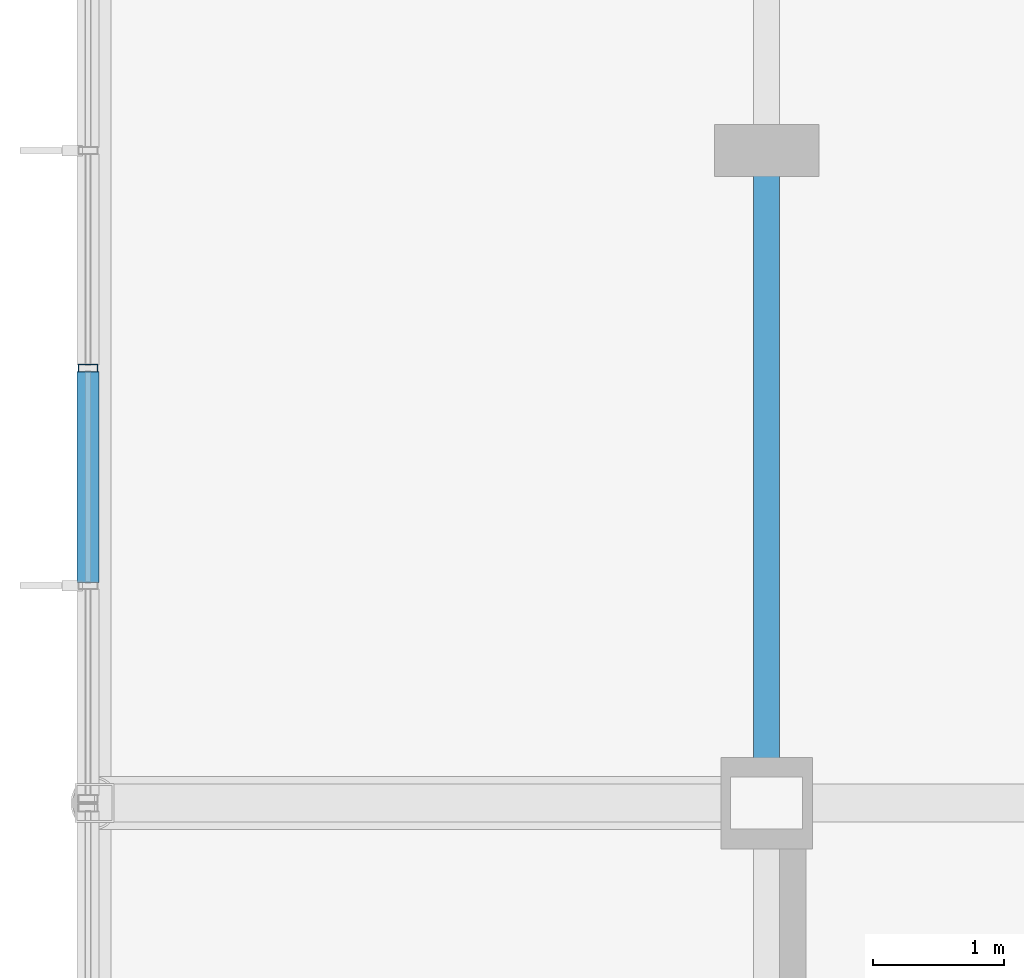
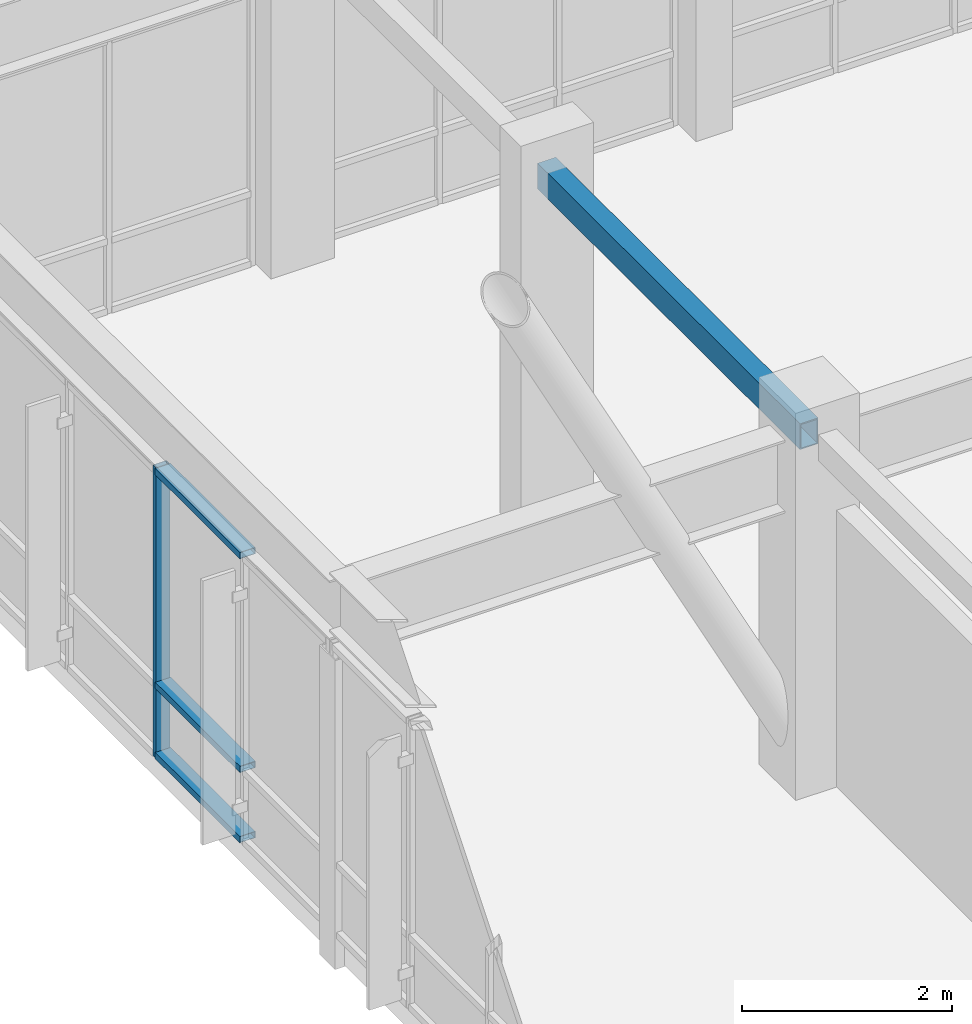
# One storey, part 21 of 55: 4 members, 1 beam, 1 element without a shape of its own.
"""IFC4 building model written with IfcOpenShell, lengths in metres."""

import ifcopenshell
import ifcopenshell.guid

model = None  # the IFC model being written
_history = None  # IfcOwnerHistory: only IFC2X3 demands one
_inside = {}  # id of a spatial element -> (the spatial element, [elements in it])
_under = {}  # id of a project, library or spatial element -> (it, [spatial elements below it])
_declared = {}  # id of a project -> (the project, [libraries it declares])
_typed = {}  # id of a type object -> (the type object, [elements of that type])
_made_of = {}  # id of a material, layer set ... -> (it, [elements and type objects made of it])


def new_model(schema):
    """Start an empty IFC model of exactly this schema.

    Asked for "IFC4X3", IfcOpenShell would pick the latest addendum, in which some entities
    have other attributes; the version numbers below select the first issue.
    IFC2X3 requires an IfcOwnerHistory on every rooted entity: one is made here for all.
    """
    global model, _history
    if schema == "IFC4X3":
        model = ifcopenshell.file(schema_version=(4, 3, 0, 0))
    else:
        model = ifcopenshell.file(schema=schema)
    _inside.clear()
    _under.clear()
    _declared.clear()
    _typed.clear()
    _made_of.clear()
    _history = None
    if model.schema == "IFC2X3":
        org = make("IfcOrganization", Name="unknown")
        user = make(
            "IfcPersonAndOrganization",
            ThePerson=make("IfcPerson", FamilyName="unknown"),
            TheOrganization=org,
        )
        app = make(
            "IfcApplication",
            ApplicationDeveloper=org,
            Version="unknown",
            ApplicationFullName="unknown",
            ApplicationIdentifier="unknown",
        )
        _history = make(
            "IfcOwnerHistory",
            OwningUser=user,
            OwningApplication=app,
            ChangeAction="ADDED",
            CreationDate=0,
        )
    return model


def make(cls, **values):
    """One entity of the class cls with the attributes given. An attribute that is None is left unset."""
    return model.create_entity(
        cls, **{name: value for name, value in values.items() if value is not None}
    )


def rooted(cls, **values):
    """An entity with a GlobalId (a new one), such as an element, a storey or a relation."""
    return make(cls, GlobalId=ifcopenshell.guid.new(), OwnerHistory=_history, **values)


def si_unit(unit_type, name, prefix=None):
    """IfcSIUnit, for example si_unit("LENGTHUNIT", "METRE", prefix="MILLI")."""
    return make("IfcSIUnit", UnitType=unit_type, Prefix=prefix, Name=name)


def assignment(units):
    """IfcUnitAssignment: the units of a project."""
    return None if units is None else make("IfcUnitAssignment", Units=units)


def point(xyz):
    """IfcCartesianPoint."""
    return None if xyz is None else make("IfcCartesianPoint", Coordinates=xyz)


def direction(xyz):
    """IfcDirection."""
    return None if xyz is None else make("IfcDirection", DirectionRatios=xyz)


def frame(location, z_axis=None, x_axis=None):
    """IfcAxis2Placement3D, a coordinate frame: its origin and axes. An axis left out is left unset."""
    return make(
        "IfcAxis2Placement3D",
        Location=point(location),
        Axis=direction(z_axis),
        RefDirection=direction(x_axis),
    )


def frame_2d(location, x_axis=None):
    """IfcAxis2Placement2D, a coordinate frame in the plane: its origin and x axis."""
    return make(
        "IfcAxis2Placement2D", Location=point(location), RefDirection=direction(x_axis)
    )


def origin():
    """The frame at (0, 0, 0) with its axes left unset."""
    return frame((0.0, 0.0, 0.0))


def origin_2d():
    """The frame at (0, 0) in the plane with its x axis left unset."""
    return frame_2d((0.0, 0.0))


def place(relative_to, where):
    """IfcLocalPlacement: puts the frame where relative to a parent placement (None: the world)."""
    return make(
        "IfcLocalPlacement", PlacementRelTo=relative_to, RelativePlacement=where
    )


def context(
    kind, dimensions, precision=None, world=None, true_north=None, identifier=None
):
    """IfcGeometricRepresentationContext, for example the 3D "Model" context."""
    return make(
        "IfcGeometricRepresentationContext",
        ContextIdentifier=identifier,
        ContextType=kind,
        CoordinateSpaceDimension=dimensions,
        Precision=precision,
        WorldCoordinateSystem=world,
        TrueNorth=true_north,
    )


def subcontext(parent, identifier, kind, view, scale=None):
    """IfcGeometricRepresentationSubContext, for example "Body" below "Model"."""
    return make(
        "IfcGeometricRepresentationSubContext",
        ContextIdentifier=identifier,
        ContextType=kind,
        ParentContext=parent,
        TargetScale=scale,
        TargetView=view,
    )


def project(units=None, contexts=None):
    """IfcProject with its units and contexts."""
    return rooted(
        "IfcProject",
        Name="project",
        RepresentationContexts=contexts,
        UnitsInContext=assignment(units),
    )


def spatial(cls, under=None, at=None, **own):
    """A site, building, storey or space (cls), placed at a placement, below another one or the project."""
    s = rooted(cls, ObjectPlacement=at, **own)
    if under is not None:
        _under.setdefault(under.id(), (under, []))[1].append(s)
    return s


def profile(cls, at=None, kind="AREA", **sizes):
    """A parametric profile (cls). Its sizes go by their IFC names, for example OverallWidth=200.0."""
    return make(cls, ProfileType=kind, Position=at, **sizes)


def hollow_rectangle(**sizes):
    """IfcRectangleHollowProfileDef."""
    return profile("IfcRectangleHollowProfileDef", **sizes)


def extrude(swept, where, along, depth):
    """IfcExtrudedAreaSolid: the profile swept, set in the frame where, extruded along a direction by depth."""
    return make(
        "IfcExtrudedAreaSolid",
        SweptArea=swept,
        Position=where,
        ExtrudedDirection=direction(along),
        Depth=depth,
    )


def shape(context_of_items, identifier, shape_type, items):
    """IfcShapeRepresentation: the items that make up one representation, for example the "Body"."""
    return make(
        "IfcShapeRepresentation",
        ContextOfItems=context_of_items,
        RepresentationIdentifier=identifier,
        RepresentationType=shape_type,
        Items=items,
    )


def material(Name=None, Category=None):
    """IfcMaterial."""
    return make("IfcMaterial", Name=Name, Category=Category)


def layer(
    of_material, thickness, ventilated=None, Name=None, Category=None, Priority=None
):
    """IfcMaterialLayer: one layer of a wall or slab, of a material (None: an air gap)."""
    return make(
        "IfcMaterialLayer",
        Material=of_material,
        LayerThickness=thickness,
        IsVentilated=ventilated,
        Name=Name,
        Category=Category,
        Priority=Priority,
    )


def layer_set(layers, Name=None):
    """IfcMaterialLayerSet."""
    return make("IfcMaterialLayerSet", MaterialLayers=layers, LayerSetName=Name)


def material_profile(
    of_material, cross_section, Name=None, Category=None, Priority=None
):
    """IfcMaterialProfile: a cross section and its material."""
    return make(
        "IfcMaterialProfile",
        Name=Name,
        Material=of_material,
        Profile=cross_section,
        Priority=Priority,
        Category=Category,
    )


def profile_set(profiles, Name=None, composite=None):
    """IfcMaterialProfileSet."""
    return make(
        "IfcMaterialProfileSet",
        Name=Name,
        MaterialProfiles=profiles,
        CompositeProfile=composite,
    )


def made_of(thing, what):
    """Note that an element or type object is made of a material, layer set ...; save() writes the relation."""
    if what is not None:
        _made_of.setdefault(what.id(), (what, []))[1].append(thing)
    return thing


def type_object(cls, material=None, **own):
    """A type object (cls), such as IfcWallType, which elements share."""
    return made_of(rooted(cls, **own), material)


def element(
    cls,
    number,
    at=None,
    inside=None,
    cuts=None,
    type_object=None,
    material=None,
    context=None,
    identifier="Body",
    shape_type=None,
    held_by="IfcProductDefinitionShape",
    body=None,
    shapes=None,
    **own,
):
    """One element of the class cls, such as IfcWall. Its Tag is "e" and its number.

    at: its placement. inside: the storey or other place that contains it. cuts: it is an
    opening in that element (IfcRelVoidsElement). A single representation is given by context,
    identifier, shape_type and body (its items); several are given by shapes. held_by: the class
    of the entity that holds the representations. save() writes the other relations.
    """
    e = rooted(cls, Tag="e%d" % number, ObjectPlacement=at, **own)
    if body is not None:
        shapes = [shape(context, identifier, shape_type, body)]
    if shapes is not None:
        e.Representation = make(held_by, Representations=shapes)
    if inside is not None:
        _inside.setdefault(inside.id(), (inside, []))[1].append(e)
    if cuts is not None:
        rooted(
            "IfcRelVoidsElement", RelatingBuildingElement=cuts, RelatedOpeningElement=e
        )
    if type_object is not None:
        _typed.setdefault(type_object.id(), (type_object, []))[1].append(e)
    return made_of(e, material)


def aggregate(whole, parts):
    """IfcRelAggregates: a whole, such as a stair, and the parts it consists of."""
    return rooted("IfcRelAggregates", RelatingObject=whole, RelatedObjects=parts)


def save(model, path):
    """Write the relations noted so far, then the file.

    IfcRelAggregates (storeys below a building ...), IfcRelContainedInSpatialStructure (elements
    in a storey), IfcRelDefinesByType, IfcRelAssociatesMaterial and IfcRelDeclares: one each for
    every whole, place, type object, material and project.
    """
    for whole, parts in _under.values():
        aggregate(whole, parts)
    for where, things in _inside.values():
        rooted(
            "IfcRelContainedInSpatialStructure",
            RelatedElements=things,
            RelatingStructure=where,
        )
    for kind, things in _typed.values():
        rooted("IfcRelDefinesByType", RelatedObjects=things, RelatingType=kind)
    for what, things in _made_of.values():
        rooted("IfcRelAssociatesMaterial", RelatedObjects=things, RelatingMaterial=what)
    for by, libraries in _declared.values():
        rooted("IfcRelDeclares", RelatingContext=by, RelatedDefinitions=libraries)
    model.write(path)


model = new_model("IFC4")

# Units and contexts
model_context = context("Model", 3, precision=1e-05, world=origin(), true_north=direction((0.0, 1.0)))
body_context = subcontext(model_context, "Body", "Model", "MODEL_VIEW")
ifc_project = project(units=[si_unit("LENGTHUNIT", "METRE"), si_unit("AREAUNIT", "SQUARE_METRE"), si_unit("VOLUMEUNIT", "CUBIC_METRE"), si_unit("PLANEANGLEUNIT", "RADIAN"), si_unit("MASSUNIT", "GRAM", prefix="KILO")], contexts=[model_context])

# Site, building, storey
site_placement = place(None, origin())
site = spatial("IfcSite", under=ifc_project, at=site_placement, CompositionType="ELEMENT")
building_placement = place(site_placement, origin())
building = spatial("IfcBuilding", under=site, at=building_placement, Name="Ventoquebrada Cableway Terminal", CompositionType="ELEMENT")
storey_placement = place(building_placement, frame((0.0, 0.0, 14.39990234375)))
storey = spatial("IfcBuildingStorey", under=building, at=storey_placement, Name="L03", CompositionType="ELEMENT", Elevation=14.39990234375)

# Curtain wall, members
ifc_material_1 = material(Name="Anodized thermally-broken aluminium", Category="aluminium")
ifc_layer = layer(ifc_material_1, 0.159912109375)
ifc_layer_set = layer_set([ifc_layer], Name="Anodized thermally-broken aluminium")
curtain_wall_type = type_object("IfcCurtainWallType", Name="CW-T24", PredefinedType="USERDEFINED", material=ifc_layer_set)
curtain_wall_placement = place(storey_placement, origin())
curtain_wall = element("IfcCurtainWall", 1, at=curtain_wall_placement, inside=storey, type_object=curtain_wall_type, Name="Unitised glazed curtain wall CW-059", ObjectType="UNITISED CURTAIN WALL", PredefinedType="USERDEFINED")
ifc_material_profile_1 = material_profile(ifc_material_1, hollow_rectangle(XDim=0.06005859375, YDim=0.14990234375, WallThickness=0.00390625, at=origin_2d()), Name="CW-MUL-60X150")
ifc_profile_set_1 = profile_set([ifc_material_profile_1], Name="Anodized thermally-broken aluminium")
member_type_1 = type_object("IfcMemberType", Name="CWM-03", PredefinedType="MULLION", material=ifc_profile_set_1)
member_1_placement = place(storey_placement, frame((3.0, 107.3330078125, -0.0078125), z_axis=(0.0, 0.0, 1.0), x_axis=(0.0, -1.0, 0.0)))
member_1 = element("IfcMember", 2, at=member_1_placement, type_object=member_type_1, Name="Curtain wall mullion FML-0273", PredefinedType="MULLION", context=body_context, shape_type="SweptSolid", body=[
    extrude(hollow_rectangle(XDim=0.06005859375, YDim=0.14990234375, WallThickness=0.00390625, at=origin_2d()), origin(), (0.0, 0.0, 1.0), 3.385009765625),
])
ifc_material_profile_2 = material_profile(ifc_material_1, hollow_rectangle(XDim=0.074951171875, YDim=0.169921875, WallThickness=0.00439453125, at=origin_2d()), Name="CW-TRN-75X170")
ifc_profile_set_2 = profile_set([ifc_material_profile_2], Name="Anodized thermally-broken aluminium")
member_type_2 = type_object("IfcMemberType", Name="CWT-03", PredefinedType="USERDEFINED", material=ifc_profile_set_2)
member_2_placement = place(storey_placement, frame((3.0, 107.30810546875, 0.03515625), z_axis=(0.0, -1.0, 0.0), x_axis=(0.0, 0.0, 1.0)))
member_2 = element("IfcMember", 3, at=member_2_placement, type_object=member_type_2, Name="Curtain wall transom FTR-0804", ObjectType="TRANSOM", PredefinedType="USERDEFINED", context=body_context, shape_type="SweptSolid", body=[
    extrude(hollow_rectangle(XDim=0.074951171875, YDim=0.169921875, WallThickness=0.00439453125, at=origin_2d()), origin(), (0.0, 0.0, 1.0), 1.6162109375),
])
member_3_placement = place(storey_placement, frame((3.0, 107.30810546875, 0.85009765625), z_axis=(0.0, -1.0, 0.0), x_axis=(0.0, 0.0, 1.0)))
member_3 = element("IfcMember", 4, at=member_3_placement, type_object=member_type_2, Name="Curtain wall transom FTR-0805", ObjectType="TRANSOM", PredefinedType="USERDEFINED", context=body_context, shape_type="SweptSolid", body=[
    extrude(hollow_rectangle(XDim=0.074951171875, YDim=0.169921875, WallThickness=0.00439453125, at=origin_2d()), origin(), (0.0, 0.0, 1.0), 1.6162109375),
])
member_4_placement = place(storey_placement, frame((3.0, 107.30810546875, 3.337158203125), z_axis=(0.0, -1.0, 0.0), x_axis=(0.0, 0.0, 1.0)))
member_4 = element("IfcMember", 5, at=member_4_placement, type_object=member_type_2, Name="Curtain wall transom FTR-0806", ObjectType="TRANSOM", PredefinedType="USERDEFINED", context=body_context, shape_type="SweptSolid", body=[
    extrude(hollow_rectangle(XDim=0.074951171875, YDim=0.169921875, WallThickness=0.00439453125, at=origin_2d()), origin(), (0.0, 0.0, 1.0), 1.6162109375),
])
aggregate(curtain_wall, [member_1, member_2, member_3, member_4])

# Beam
ifc_material_2 = material(Name="Steel ASTM A500 Grade C", Category="steel")
ifc_material_profile_3 = material_profile(ifc_material_2, hollow_rectangle(XDim=0.199951171875, YDim=0.300048828125, WallThickness=0.012451171875, at=origin_2d()), Name="RHS300X200X12.5")
ifc_profile_set_3 = profile_set([ifc_material_profile_3], Name="Steel ASTM A500 Grade C")
beam_type = type_object("IfcBeamType", Name="SP-ST02", PredefinedType="SPANDREL", material=ifc_profile_set_3)
beam_placement = place(storey_placement, frame((8.199951171875, 104.0, 3.93017578125), z_axis=(0.0, 1.0, 0.0), x_axis=(-1.0, 0.0, 0.0)))
element("IfcBeam", 6, at=beam_placement, inside=storey, type_object=beam_type, Name="Perimeter spandrel beam FBM-0513", PredefinedType="SPANDREL", context=body_context, shape_type="SweptSolid", body=[
    extrude(hollow_rectangle(XDim=0.199951171875, YDim=0.300048828125, WallThickness=0.012451171875, at=origin_2d()), origin(), (0.0, 0.0, 1.0), 5.0),
])

save(model, "model.ifc")
